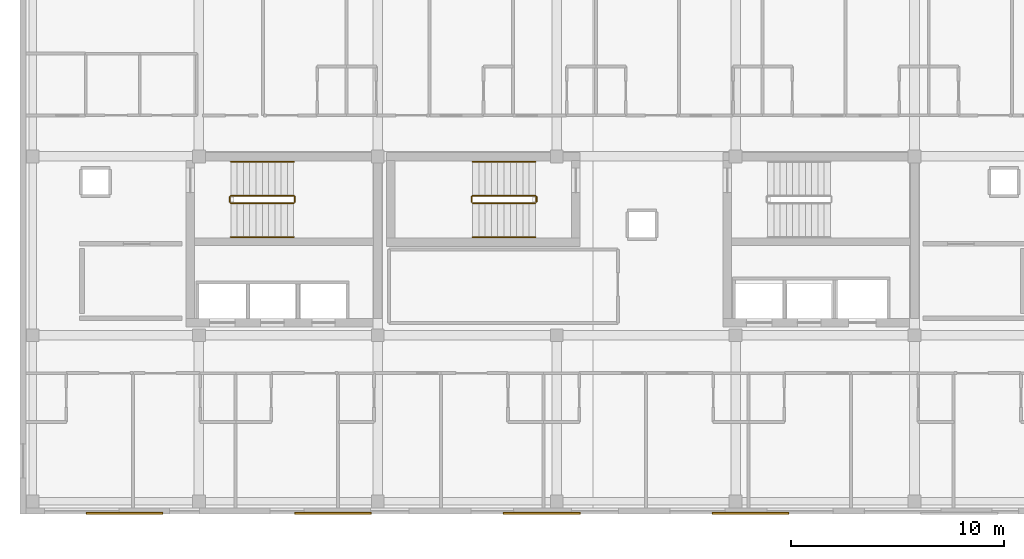
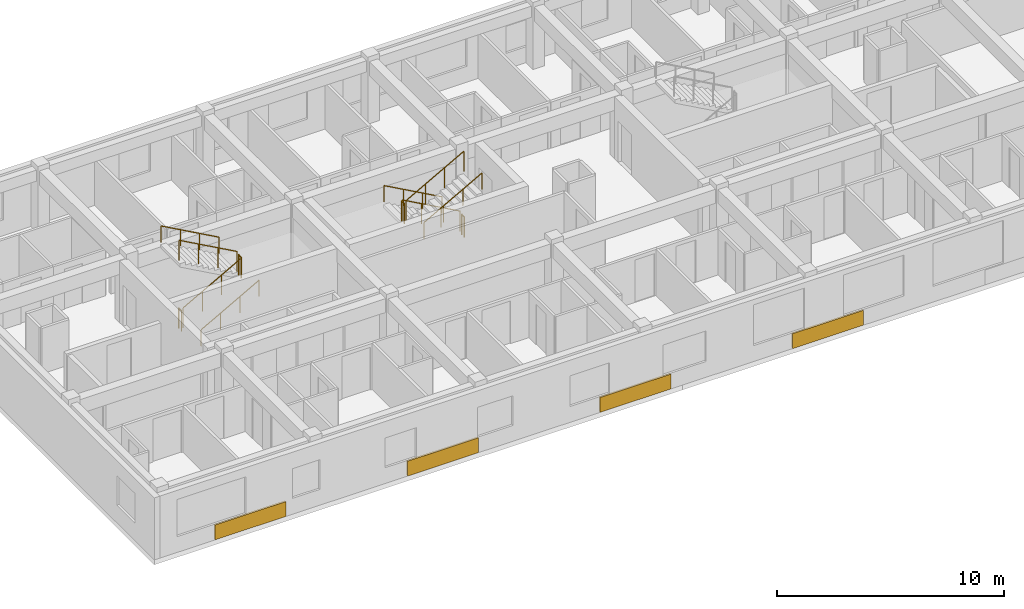
# One storey, part 8 of 9: 12 railings, 4 coverings.
"""IFC4 building model written with IfcOpenShell, lengths in metres."""

from ifc_helpers import new_model, si_unit, direction, frame, origin, origin_2d, place, context, subcontext, project, spatial, rectangle, circle, extrude, material, layer, layer_set, type_object, element, save


model = new_model("IFC4")

# Units and contexts
model_context = context("Model", 3, precision=1e-05, world=origin(), true_north=direction((0.0, 1.0)))
body_context = subcontext(model_context, "Body", "Model", "MODEL_VIEW")
ifc_project = project(units=[si_unit("LENGTHUNIT", "METRE"), si_unit("AREAUNIT", "SQUARE_METRE"), si_unit("VOLUMEUNIT", "CUBIC_METRE"), si_unit("PLANEANGLEUNIT", "RADIAN"), si_unit("MASSUNIT", "GRAM", prefix="KILO")], contexts=[model_context])

# Site, building, storey
site_placement = place(None, origin())
site = spatial("IfcSite", under=ifc_project, at=site_placement, CompositionType="ELEMENT")
building_placement = place(site_placement, origin())
building = spatial("IfcBuilding", under=site, at=building_placement, Name="Zayran Congress Hotel", CompositionType="ELEMENT")
storey_placement = place(building_placement, frame((0.0, 0.0, 37.199951171875)))
storey = spatial("IfcBuildingStorey", under=building, at=storey_placement, Name="L09", CompositionType="ELEMENT", Elevation=37.199951171875)

# Coverings
ifc_material_1 = material(Name="Ochre geometric bas-relief Hajar Ma'ani stone", Category="masonry")
ifc_layer = layer(ifc_material_1, 0.090087890625)
ifc_layer_set = layer_set([ifc_layer], Name="Ochre geometric bas-relief Hajar Ma'ani stone")
covering_type = type_object("IfcCoveringType", Name="TP-CLD-01", PredefinedType="CLADDING", material=ifc_layer_set)
for number, where, z_axis, x_axis, name in (
    (1, (21.699951171875, 8.844970703125, 0.0), (0.0, 0.0, 1.0), (1.0, 0.0, 0.0), "CLD-V5S-L09-0"),
    (2, (31.5, 8.844970703125, 0.0), (0.0, 0.0, 1.0), (1.0, 0.0, 0.0), "CLD-V5S-L09-1"),
    (3, (41.300048828125, 8.844970703125, 0.0), (0.0, 0.0, 1.0), (1.0, 0.0, 0.0), "CLD-V5S-L09-2"),
    (4, (51.10009765625, 8.844970703125, 0.0), (0.0, 0.0, 1.0), (1.0, 0.0, 0.0), "CLD-V5S-L09-3"),
):
    element("IfcCovering", number, at=place(storey_placement, frame(where, z_axis=z_axis, x_axis=x_axis)), inside=storey, type_object=covering_type, Name=name, PredefinedType="CLADDING", context=body_context, shape_type="SweptSolid", body=[
        extrude(rectangle(XDim=3.60009765625, YDim=0.090087890625, at=origin_2d()), origin(), (0.0, 0.0, 1.0), 0.800048828125),
    ])

# Railings
ifc_material_2 = material(Name="Painted steel balustrade", Category="steel")
railing_type_1 = type_object("IfcRailingType", Name="TP-GRD-INT", PredefinedType="GUARDRAIL", material=ifc_material_2)
railing_1_placement = place(storey_placement, frame((26.699951171875, 23.409912109375, 0.16357421875)))
element("IfcRailing", 5, at=railing_1_placement, inside=storey, type_object=railing_type_1, Name="L09 ST-01 stair guard 1", PredefinedType="GUARDRAIL", context=body_context, shape_type="SweptSolid", body=[
    extrude(circle(Radius=0.02392578125, at=origin_2d()), frame((0.0, 0.0, 1.076171875), z_axis=(0.874457516365, 0.0, 0.485102104791), x_axis=(0.0, 1.0, 0.0)), (0.0, 0.0, 1.0), 3.37353515625),
    extrude(circle(Radius=0.02099609375, at=origin_2d()), origin(), (0.0, 0.0, 1.0), 1.052001953125),
    extrude(circle(Radius=0.02099609375, at=origin_2d()), frame((0.9833984375, 0.0, 0.54541015625)), (0.0, 0.0, 1.0), 1.052001953125),
    extrude(circle(Radius=0.02099609375, at=origin_2d()), frame((1.966552734375, 0.0, 1.091064453125)), (0.0, 0.0, 1.0), 1.052001953125),
    extrude(circle(Radius=0.02099609375, at=origin_2d()), frame((2.949951171875, 0.0, 1.636474609375)), (0.0, 0.0, 1.0), 1.052001953125),
])
railing_2_placement = place(storey_placement, frame((29.699951171875, 23.4599609375, 1.800048828125)))
element("IfcRailing", 6, at=railing_2_placement, inside=storey, type_object=railing_type_1, Name="L09 ST-01 stair guard 2", PredefinedType="GUARDRAIL", context=body_context, shape_type="SweptSolid", body=[
    extrude(circle(Radius=0.02392578125, at=origin_2d()), frame((0.0, 0.0, 1.076171875), z_axis=(0.0, 1.0, 0.0), x_axis=(-1.0, 0.0, 0.0)), (0.0, 0.0, 1.0), 0.239990234375),
    extrude(circle(Radius=0.02099609375, at=origin_2d()), origin(), (0.0, 0.0, 1.0), 1.052001953125),
    extrude(circle(Radius=0.02099609375, at=origin_2d()), frame((0.0, 0.239990234375, 0.0)), (0.0, 0.0, 1.0), 1.052001953125),
])
railing_3_placement = place(storey_placement, frame((29.64990234375, 23.75, 1.963623046875)))
element("IfcRailing", 7, at=railing_3_placement, inside=storey, type_object=railing_type_1, Name="L09 ST-01 stair guard 3", PredefinedType="GUARDRAIL", context=body_context, shape_type="SweptSolid", body=[
    extrude(circle(Radius=0.02392578125, at=origin_2d()), frame((0.0, 0.0, 1.076171875), z_axis=(-0.874457516365, 0.0, 0.485102104791), x_axis=(0.0, -1.0, 0.0)), (0.0, 0.0, 1.0), 3.37353515625),
    extrude(circle(Radius=0.02099609375, at=origin_2d()), origin(), (0.0, 0.0, 1.0), 1.052001953125),
    extrude(circle(Radius=0.02099609375, at=origin_2d()), frame((-0.9833984375, 0.0, 0.54541015625)), (0.0, 0.0, 1.0), 1.052001953125),
    extrude(circle(Radius=0.02099609375, at=origin_2d()), frame((-1.966552734375, 0.0, 1.091064453125)), (0.0, 0.0, 1.0), 1.052001953125),
    extrude(circle(Radius=0.02099609375, at=origin_2d()), frame((-2.949951171875, 0.0, 1.636474609375)), (0.0, 0.0, 1.0), 1.052001953125),
])
railing_4_placement = place(storey_placement, frame((26.64990234375, 23.4599609375, 0.0)))
element("IfcRailing", 8, at=railing_4_placement, inside=storey, type_object=railing_type_1, Name="L09 ST-01 stair guard 4", PredefinedType="GUARDRAIL", context=body_context, shape_type="SweptSolid", body=[
    extrude(circle(Radius=0.02392578125, at=origin_2d()), frame((0.0, 0.0, 1.076171875), z_axis=(0.0, 1.0, 0.0), x_axis=(-1.0, 0.0, 0.0)), (0.0, 0.0, 1.0), 0.239990234375),
    extrude(circle(Radius=0.02099609375, at=origin_2d()), origin(), (0.0, 0.0, 1.0), 1.052001953125),
    extrude(circle(Radius=0.02099609375, at=origin_2d()), frame((0.0, 0.239990234375, 0.0)), (0.0, 0.0, 1.0), 1.052001953125),
])
railing_5_placement = place(storey_placement, frame((41.0, 23.75, 0.16357421875)))
element("IfcRailing", 9, at=railing_5_placement, inside=storey, type_object=railing_type_1, Name="L09 ST-13 stair guard 1", PredefinedType="GUARDRAIL", context=body_context, shape_type="SweptSolid", body=[
    extrude(circle(Radius=0.02392578125, at=origin_2d()), frame((0.0, 0.0, 1.076171875), z_axis=(-0.874457516365, 0.0, 0.485102104791), x_axis=(0.0, -1.0, 0.0)), (0.0, 0.0, 1.0), 3.37353515625),
    extrude(circle(Radius=0.02099609375, at=origin_2d()), origin(), (0.0, 0.0, 1.0), 1.052001953125),
    extrude(circle(Radius=0.02099609375, at=origin_2d()), frame((-0.9833984375, 0.0, 0.54541015625)), (0.0, 0.0, 1.0), 1.052001953125),
    extrude(circle(Radius=0.02099609375, at=origin_2d()), frame((-1.966552734375, 0.0, 1.091064453125)), (0.0, 0.0, 1.0), 1.052001953125),
    extrude(circle(Radius=0.02099609375, at=origin_2d()), frame((-2.949951171875, 0.0, 1.636474609375)), (0.0, 0.0, 1.0), 1.052001953125),
])
railing_6_placement = place(storey_placement, frame((38.0, 23.699951171875, 1.800048828125)))
element("IfcRailing", 10, at=railing_6_placement, inside=storey, type_object=railing_type_1, Name="L09 ST-13 stair guard 2", PredefinedType="GUARDRAIL", context=body_context, shape_type="SweptSolid", body=[
    extrude(circle(Radius=0.02392578125, at=origin_2d()), frame((0.0, 0.0, 1.076171875), z_axis=(0.0, -1.0, 0.0), x_axis=(1.0, 0.0, 0.0)), (0.0, 0.0, 1.0), 0.239990234375),
    extrude(circle(Radius=0.02099609375, at=origin_2d()), origin(), (0.0, 0.0, 1.0), 1.052001953125),
    extrude(circle(Radius=0.02099609375, at=origin_2d()), frame((0.0, -0.239990234375, 0.0)), (0.0, 0.0, 1.0), 1.052001953125),
])
railing_7_placement = place(storey_placement, frame((38.050048828125, 23.409912109375, 1.963623046875)))
element("IfcRailing", 11, at=railing_7_placement, inside=storey, type_object=railing_type_1, Name="L09 ST-13 stair guard 3", PredefinedType="GUARDRAIL", context=body_context, shape_type="SweptSolid", body=[
    extrude(circle(Radius=0.02392578125, at=origin_2d()), frame((0.0, 0.0, 1.076171875), z_axis=(0.874457516365, 0.0, 0.485102104791), x_axis=(0.0, 1.0, 0.0)), (0.0, 0.0, 1.0), 3.37353515625),
    extrude(circle(Radius=0.02099609375, at=origin_2d()), origin(), (0.0, 0.0, 1.0), 1.052001953125),
    extrude(circle(Radius=0.02099609375, at=origin_2d()), frame((0.9833984375, 0.0, 0.54541015625)), (0.0, 0.0, 1.0), 1.052001953125),
    extrude(circle(Radius=0.02099609375, at=origin_2d()), frame((1.966552734375, 0.0, 1.091064453125)), (0.0, 0.0, 1.0), 1.052001953125),
    extrude(circle(Radius=0.02099609375, at=origin_2d()), frame((2.949951171875, 0.0, 1.636474609375)), (0.0, 0.0, 1.0), 1.052001953125),
])
railing_8_placement = place(storey_placement, frame((41.050048828125, 23.699951171875, 0.0)))
element("IfcRailing", 12, at=railing_8_placement, inside=storey, type_object=railing_type_1, Name="L09 ST-13 stair guard 4", PredefinedType="GUARDRAIL", context=body_context, shape_type="SweptSolid", body=[
    extrude(circle(Radius=0.02392578125, at=origin_2d()), frame((0.0, 0.0, 1.076171875), z_axis=(0.0, -1.0, 0.0), x_axis=(1.0, 0.0, 0.0)), (0.0, 0.0, 1.0), 0.239990234375),
    extrude(circle(Radius=0.02099609375, at=origin_2d()), origin(), (0.0, 0.0, 1.0), 1.052001953125),
    extrude(circle(Radius=0.02099609375, at=origin_2d()), frame((0.0, -0.239990234375, 0.0)), (0.0, 0.0, 1.0), 1.052001953125),
])
ifc_material_3 = material(Name="Brushed stainless steel handrail", Category="steel")
railing_type_2 = type_object("IfcRailingType", Name="TP-HND-STR", PredefinedType="HANDRAIL", material=ifc_material_3)
railing_9_placement = place(storey_placement, frame((26.699951171875, 21.81005859375, 0.16357421875)))
element("IfcRailing", 13, at=railing_9_placement, inside=storey, type_object=railing_type_2, Name="L09 ST-01 stair handrail 1", PredefinedType="HANDRAIL", context=body_context, shape_type="SweptSolid", body=[
    extrude(circle(Radius=0.02392578125, at=origin_2d()), frame((0.0, 0.0, 0.8759765625), z_axis=(0.874457516365, 0.0, 0.485102104791), x_axis=(0.0, 1.0, 0.0)), (0.0, 0.0, 1.0), 3.37353515625),
    extrude(circle(Radius=0.02099609375, at=origin_2d()), origin(), (0.0, 0.0, 1.0), 0.851806640625),
    extrude(circle(Radius=0.02099609375, at=origin_2d()), frame((0.9833984375, 0.0, 0.54541015625)), (0.0, 0.0, 1.0), 0.851806640625),
    extrude(circle(Radius=0.02099609375, at=origin_2d()), frame((1.966552734375, 0.0, 1.091064453125)), (0.0, 0.0, 1.0), 0.851806640625),
    extrude(circle(Radius=0.02099609375, at=origin_2d()), frame((2.949951171875, 0.0, 1.636474609375)), (0.0, 0.0, 1.0), 0.851806640625),
])
for number, where, name in (
    (14, (29.64990234375, 25.35009765625, 1.963623046875), "L09 ST-01 stair handrail 2"),
    (15, (41.0, 25.35009765625, 0.16357421875), "L09 ST-13 stair handrail 1"),
):
    element("IfcRailing", number, at=place(storey_placement, frame(where)), inside=storey, type_object=railing_type_2, Name=name, PredefinedType="HANDRAIL", context=body_context, shape_type="SweptSolid", body=[
        extrude(circle(Radius=0.02392578125, at=origin_2d()), frame((0.0, 0.0, 0.8759765625), z_axis=(-0.874457516365, 0.0, 0.485102104791), x_axis=(0.0, -1.0, 0.0)), (0.0, 0.0, 1.0), 3.37353515625),
        extrude(circle(Radius=0.02099609375, at=origin_2d()), origin(), (0.0, 0.0, 1.0), 0.851806640625),
        extrude(circle(Radius=0.02099609375, at=origin_2d()), frame((-0.9833984375, 0.0, 0.54541015625)), (0.0, 0.0, 1.0), 0.851806640625),
        extrude(circle(Radius=0.02099609375, at=origin_2d()), frame((-1.966552734375, 0.0, 1.091064453125)), (0.0, 0.0, 1.0), 0.851806640625),
        extrude(circle(Radius=0.02099609375, at=origin_2d()), frame((-2.949951171875, 0.0, 1.636474609375)), (0.0, 0.0, 1.0), 0.851806640625),
    ])
railing_10_placement = place(storey_placement, frame((38.050048828125, 21.81005859375, 1.963623046875)))
element("IfcRailing", 16, at=railing_10_placement, inside=storey, type_object=railing_type_2, Name="L09 ST-13 stair handrail 2", PredefinedType="HANDRAIL", context=body_context, shape_type="SweptSolid", body=[
    extrude(circle(Radius=0.02392578125, at=origin_2d()), frame((0.0, 0.0, 0.8759765625), z_axis=(0.874457516365, 0.0, 0.485102104791), x_axis=(0.0, 1.0, 0.0)), (0.0, 0.0, 1.0), 3.37353515625),
    extrude(circle(Radius=0.02099609375, at=origin_2d()), origin(), (0.0, 0.0, 1.0), 0.851806640625),
    extrude(circle(Radius=0.02099609375, at=origin_2d()), frame((0.9833984375, 0.0, 0.54541015625)), (0.0, 0.0, 1.0), 0.851806640625),
    extrude(circle(Radius=0.02099609375, at=origin_2d()), frame((1.966552734375, 0.0, 1.091064453125)), (0.0, 0.0, 1.0), 0.851806640625),
    extrude(circle(Radius=0.02099609375, at=origin_2d()), frame((2.949951171875, 0.0, 1.636474609375)), (0.0, 0.0, 1.0), 0.851806640625),
])

save(model, "model.ifc")
